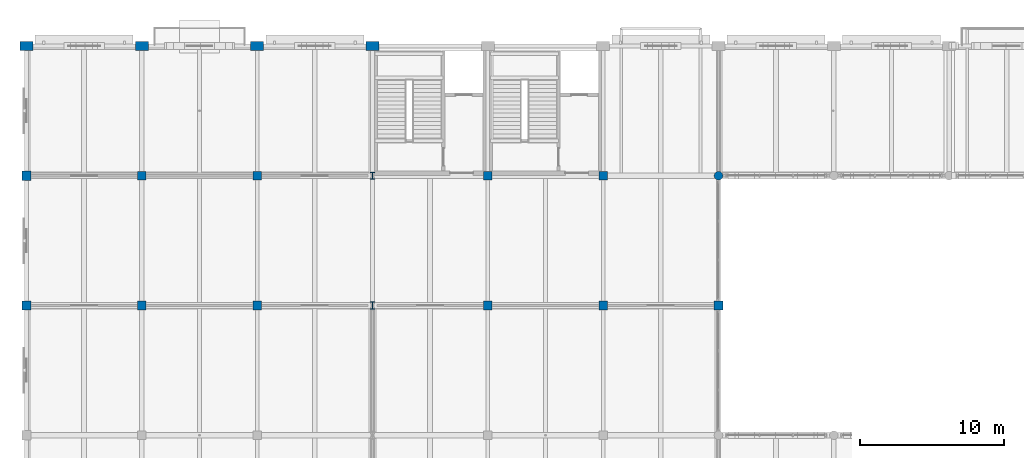
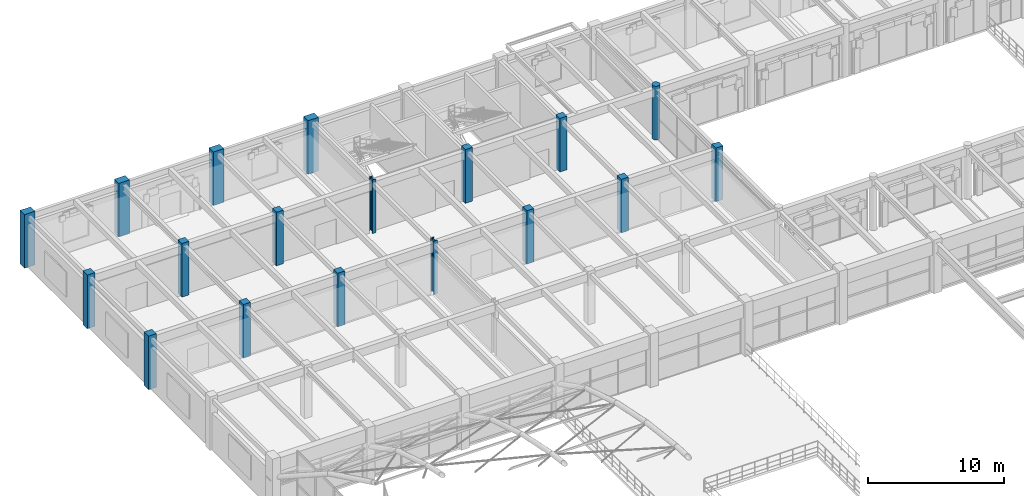
# One storey, part 3 of 144: 18 columns.
"""IFC4 building model written with IfcOpenShell, lengths in metres."""

from ifc_helpers import new_model, si_unit, direction, frame, origin, origin_2d, place, context, subcontext, project, spatial, rectangle, circle, i_section, extrude, material, material_profile, profile_set, type_object, element, save


model = new_model("IFC4")

# Units and contexts
model_context = context("Model", 3, precision=1e-05, world=origin(), true_north=direction((0.0, 1.0)))
body_context = subcontext(model_context, "Body", "Model", "MODEL_VIEW")
ifc_project = project(units=[si_unit("LENGTHUNIT", "METRE"), si_unit("AREAUNIT", "SQUARE_METRE"), si_unit("VOLUMEUNIT", "CUBIC_METRE"), si_unit("PLANEANGLEUNIT", "RADIAN"), si_unit("MASSUNIT", "GRAM", prefix="KILO")], contexts=[model_context])

# Site, building, storey
site_placement = place(None, origin())
site = spatial("IfcSite", under=ifc_project, at=site_placement, CompositionType="ELEMENT")
building_placement = place(site_placement, origin())
building = spatial("IfcBuilding", under=site, at=building_placement, Name="Varnabhumi Central Station", CompositionType="ELEMENT")
storey_placement = place(building_placement, frame((0.0, 0.0, 4.800048828125)))
storey = spatial("IfcBuildingStorey", under=building, at=storey_placement, Name="L01", CompositionType="ELEMENT", Elevation=4.800048828125)

# Columns
ifc_material_1 = material(Name="Concrete M40", Category="concrete")
ifc_material_profile_1 = material_profile(ifc_material_1, rectangle(XDim=0.60009765625, YDim=0.60009765625, at=origin_2d()), Name="Concrete M40", Category="concrete")
ifc_profile_set_1 = profile_set([ifc_material_profile_1], Name="Concrete M40")
column_type_1 = type_object("IfcColumnType", Name="COL-NORTH-600", PredefinedType="COLUMN", material=ifc_profile_set_1)
for number, where, z_axis, x_axis, name in (
    (1, (8.0, 98.0, 0.0), (0.0, 0.0, 1.0), (1.0, 0.0, 0.0), "Column L01-2M"),
    (2, (8.0, 107.0, 0.0), (0.0, 0.0, 1.0), (1.0, 0.0, 0.0), "Column L01-2N"),
    (3, (16.0, 98.0, 0.0), (0.0, 0.0, 1.0), (1.0, 0.0, 0.0), "Column L01-3M"),
    (4, (16.0, 107.0, 0.0), (0.0, 0.0, 1.0), (1.0, 0.0, 0.0), "Column L01-3N"),
    (5, (32.0, 98.0, 0.0), (0.0, 0.0, 1.0), (1.0, 0.0, 0.0), "Column L01-5M"),
    (6, (32.0, 107.0, 0.0), (0.0, 0.0, 1.0), (1.0, 0.0, 0.0), "Column L01-5N"),
    (7, (40.0, 98.0, 0.0), (0.0, 0.0, 1.0), (1.0, 0.0, 0.0), "Column L01-6M"),
    (8, (40.0, 107.0, 0.0), (0.0, 0.0, 1.0), (1.0, 0.0, 0.0), "Column L01-6N"),
    (9, (48.0, 98.0, 0.0), (0.0, 0.0, 1.0), (1.0, 0.0, 0.0), "Column L01-7M"),
):
    element("IfcColumn", number, at=place(storey_placement, frame(where, z_axis=z_axis, x_axis=x_axis)), inside=storey, type_object=column_type_1, Name=name, PredefinedType="COLUMN", context=body_context, shape_type="SweptSolid", body=[
        extrude(rectangle(XDim=0.60009765625, YDim=0.60009765625, at=origin_2d()), origin(), (0.0, 0.0, 1.0), 4.800048828125),
    ])
ifc_material_profile_2 = material_profile(ifc_material_1, rectangle(XDim=0.64990234375, YDim=0.64990234375, at=origin_2d()), Name="Concrete M40", Category="concrete")
ifc_profile_set_2 = profile_set([ifc_material_profile_2], Name="Concrete M40")
column_type_2 = type_object("IfcColumnType", Name="COL-RC-650", PredefinedType="COLUMN", material=ifc_profile_set_2)
for number, where, z_axis, x_axis, name in (
    (10, (0.0, 98.0, 0.0), (0.0, 0.0, 1.0), (1.0, 0.0, 0.0), "Column L01-1M"),
    (11, (0.0, 107.0, 0.0), (0.0, 0.0, 1.0), (1.0, 0.0, 0.0), "Column L01-1N"),
):
    element("IfcColumn", number, at=place(storey_placement, frame(where, z_axis=z_axis, x_axis=x_axis)), inside=storey, type_object=column_type_2, Name=name, PredefinedType="COLUMN", context=body_context, shape_type="SweptSolid", body=[
        extrude(rectangle(XDim=0.64990234375, YDim=0.64990234375, at=origin_2d()), origin(), (0.0, 0.0, 1.0), 4.800048828125),
    ])
ifc_material_profile_3 = material_profile(ifc_material_1, rectangle(XDim=0.89990234375, YDim=0.64990234375, at=origin_2d()), Name="Concrete M40", Category="concrete")
ifc_profile_set_3 = profile_set([ifc_material_profile_3], Name="Concrete M40")
column_type_3 = type_object("IfcColumnType", Name="COL-RC-900x650", PredefinedType="PILASTER", material=ifc_profile_set_3)
for number, where, z_axis, x_axis, name in (
    (12, (0.0, 116.0, 0.0), (0.0, 0.0, 1.0), (1.0, 0.0, 0.0), "Column L01-1P"),
    (13, (8.0, 116.0, 0.0), (0.0, 0.0, 1.0), (1.0, 0.0, 0.0), "Column L01-2P"),
    (14, (16.0, 116.0, 0.0), (0.0, 0.0, 1.0), (1.0, 0.0, 0.0), "Column L01-3P"),
    (15, (24.0, 116.0, 0.0), (0.0, 0.0, 1.0), (1.0, 0.0, 0.0), "Column L01-4P"),
):
    element("IfcColumn", number, at=place(storey_placement, frame(where, z_axis=z_axis, x_axis=x_axis)), inside=storey, type_object=column_type_3, Name=name, PredefinedType="PILASTER", context=body_context, shape_type="SweptSolid", body=[
        extrude(rectangle(XDim=0.89990234375, YDim=0.64990234375, at=origin_2d()), origin(), (0.0, 0.0, 1.0), 4.800048828125),
    ])
ifc_material_profile_4 = material_profile(ifc_material_1, circle(Radius=0.300048828125, at=origin_2d()), Name="Concrete M40", Category="concrete")
ifc_profile_set_4 = profile_set([ifc_material_profile_4], Name="Concrete M40")
column_type_4 = type_object("IfcColumnType", Name="COL-RC-D600", PredefinedType="COLUMN", material=ifc_profile_set_4)
column_placement = place(storey_placement, frame((48.0, 107.0, 0.0), z_axis=(0.0, 0.0, 1.0), x_axis=(1.0, 0.0, 0.0)))
element("IfcColumn", 16, at=column_placement, inside=storey, type_object=column_type_4, Name="Column L01-7N", PredefinedType="COLUMN", context=body_context, shape_type="SweptSolid", body=[
    extrude(circle(Radius=0.300048828125, at=origin_2d()), origin(), (0.0, 0.0, 1.0), 4.800048828125),
])
ifc_material_2 = material(Name="Structural steel E350", Category="steel")
ifc_material_profile_5 = material_profile(ifc_material_2, i_section(OverallWidth=0.300048828125, OverallDepth=0.5, WebThickness=0.014404296875, FlangeThickness=0.028076171875, FilletRadius=0.027099609375, at=origin_2d()), Name="Structural steel E350", Category="steel")
ifc_profile_set_5 = profile_set([ifc_material_profile_5], Name="Structural steel E350")
column_type_5 = type_object("IfcColumnType", Name="COL-STL-WPB500", PredefinedType="COLUMN", material=ifc_profile_set_5)
for number, where, z_axis, x_axis, name in (
    (17, (24.0, 98.0, 0.0), (0.0, 0.0, 1.0), (1.0, 0.0, 0.0), "Column L01-4M"),
    (18, (24.0, 107.0, 0.0), (0.0, 0.0, 1.0), (1.0, 0.0, 0.0), "Column L01-4N"),
):
    element("IfcColumn", number, at=place(storey_placement, frame(where, z_axis=z_axis, x_axis=x_axis)), inside=storey, type_object=column_type_5, Name=name, PredefinedType="COLUMN", context=body_context, shape_type="SweptSolid", body=[
        extrude(i_section(OverallWidth=0.300048828125, OverallDepth=0.5, WebThickness=0.014404296875, FlangeThickness=0.028076171875, FilletRadius=0.027099609375, at=origin_2d()), origin(), (0.0, 0.0, 1.0), 4.800048828125),
    ])

save(model, "model.ifc")
